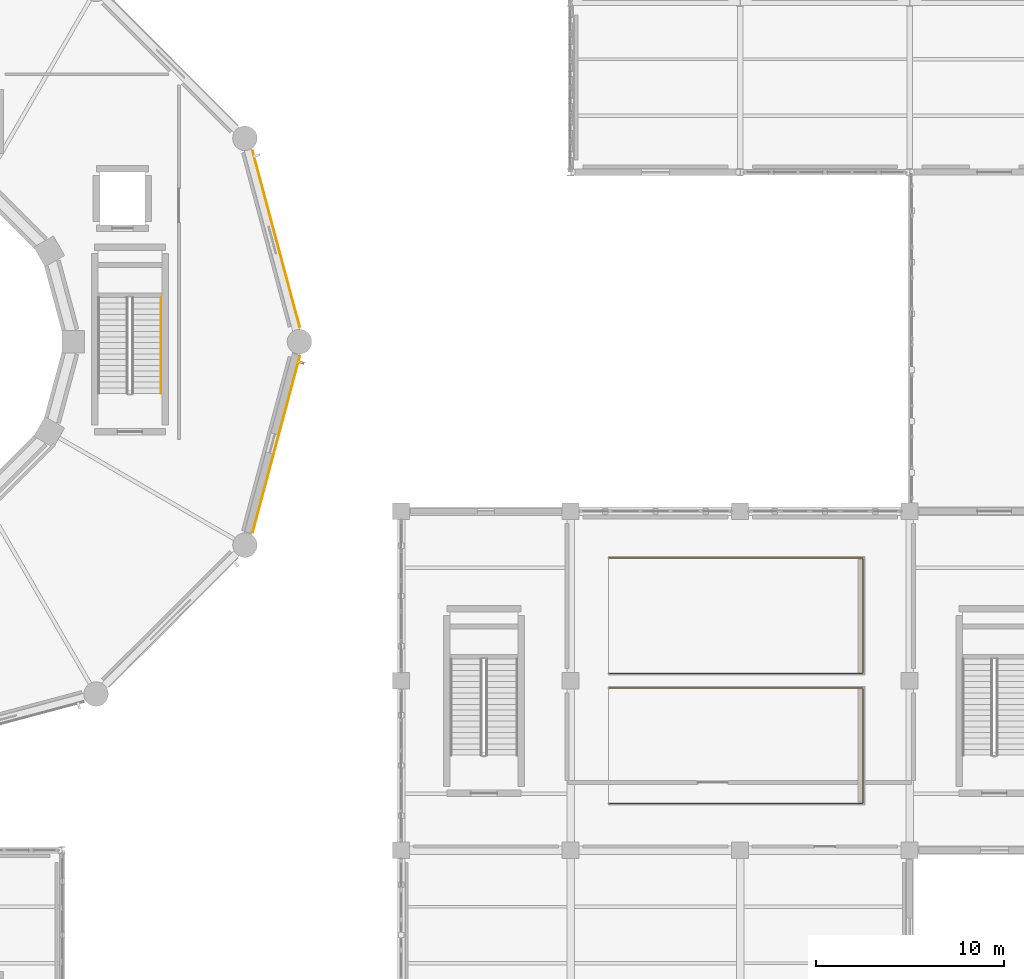
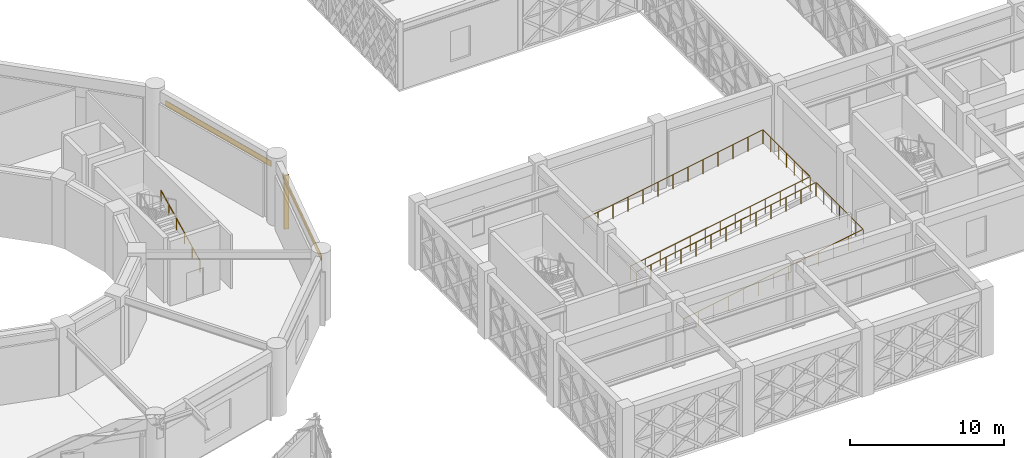
# One storey, part 160 of 166: 3 railings, 2 coverings, 1 shading device.
"""IFC4 building model written with IfcOpenShell, lengths in metres."""

from ifc_helpers import new_model, si_unit, direction, frame, origin, origin_2d, place, context, subcontext, project, spatial, rectangle, circle, extrude, material, type_object, element, save


model = new_model("IFC4")

# Units and contexts
model_context = context("Model", 3, precision=1e-05, world=origin(), true_north=direction((0.0, 1.0)))
body_context = subcontext(model_context, "Body", "Model", "MODEL_VIEW")
ifc_project = project(units=[si_unit("LENGTHUNIT", "METRE"), si_unit("AREAUNIT", "SQUARE_METRE"), si_unit("VOLUMEUNIT", "CUBIC_METRE"), si_unit("PLANEANGLEUNIT", "RADIAN"), si_unit("MASSUNIT", "GRAM", prefix="KILO")], contexts=[model_context])

# Site, building, storey
site_placement = place(None, origin())
site = spatial("IfcSite", under=ifc_project, at=site_placement, CompositionType="ELEMENT")
building_placement = place(site_placement, origin())
building = spatial("IfcBuilding", under=site, at=building_placement, Name="Haizhuo Lancet Aquarium", CompositionType="ELEMENT")
storey_placement = place(building_placement, frame((0.0, 0.0, 5.39990234375)))
storey = spatial("IfcBuildingStorey", under=building, at=storey_placement, Name="L01", CompositionType="ELEMENT", Elevation=5.39990234375)

# Railings
ifc_material_1 = material(Name="Steel S355", Category="steel")
railing_type_1 = type_object("IfcRailingType", Name="RL-GRD-1150", PredefinedType="GUARDRAIL", material=ifc_material_1)
railing_1_placement = place(storey_placement, frame((38.0, -24.52001953125, 0.18505859375)))
element("IfcRailing", 1, at=railing_1_placement, inside=storey, type_object=railing_type_1, Name="Auditorium seating tier guardrail 1", PredefinedType="GUARDRAIL", context=body_context, shape_type="SweptSolid", body=[
    extrude(circle(Radius=0.02392578125, at=origin_2d()), frame((0.029541015625, 0.0, 1.131103515625), z_axis=(0.984632834048, 0.0, 0.174637287299), x_axis=(0.0, 1.0, 0.0)), (0.0, 0.0, 1.0), 13.671142578125),
    extrude(circle(Radius=0.02392578125, at=origin_2d()), frame((13.52001953125, 0.030029296875, 3.52392578125), z_axis=(0.0, 1.0, 0.0), x_axis=(-1.0, 0.0, 0.0)), (0.0, 0.0, 1.0), 6.080078125),
    extrude(circle(Radius=0.02392578125, at=origin_2d()), frame((13.490478515625, 6.14013671875, 3.5185546875), z_axis=(-0.984632834048, 0.0, -0.174637287299), x_axis=(0.0, -1.0, 0.0)), (0.0, 0.0, 1.0), 13.671142578125),
    extrude(circle(Radius=0.02099609375, at=origin_2d()), origin(), (0.0, 0.0, 1.0), 1.097900390625),
    extrude(circle(Radius=0.02099609375, at=origin_2d()), frame((1.126708984375, 0.0, 0.19970703125)), (0.0, 0.0, 1.0), 1.097900390625),
    extrude(circle(Radius=0.02099609375, at=origin_2d()), frame((2.25341796875, 0.0, 0.399658203125)), (0.0, 0.0, 1.0), 1.097900390625),
    extrude(circle(Radius=0.02099609375, at=origin_2d()), frame((3.3798828125, 0.0, 0.599609375)), (0.0, 0.0, 1.0), 1.097900390625),
    extrude(circle(Radius=0.02099609375, at=origin_2d()), frame((4.506591796875, 0.0, 0.79931640625)), (0.0, 0.0, 1.0), 1.097900390625),
    extrude(circle(Radius=0.02099609375, at=origin_2d()), frame((5.63330078125, 0.0, 0.9990234375)), (0.0, 0.0, 1.0), 1.097900390625),
    extrude(circle(Radius=0.02099609375, at=origin_2d()), frame((6.760009765625, 0.0, 1.198974609375)), (0.0, 0.0, 1.0), 1.097900390625),
    extrude(circle(Radius=0.02099609375, at=origin_2d()), frame((7.88671875, 0.0, 1.39892578125)), (0.0, 0.0, 1.0), 1.097900390625),
    extrude(circle(Radius=0.02099609375, at=origin_2d()), frame((9.013427734375, 0.0, 1.5986328125)), (0.0, 0.0, 1.0), 1.097900390625),
    extrude(circle(Radius=0.02099609375, at=origin_2d()), frame((10.14013671875, 0.0, 1.79833984375)), (0.0, 0.0, 1.0), 1.097900390625),
    extrude(circle(Radius=0.02099609375, at=origin_2d()), frame((11.2666015625, 0.0, 1.998291015625)), (0.0, 0.0, 1.0), 1.097900390625),
    extrude(circle(Radius=0.02099609375, at=origin_2d()), frame((12.393310546875, 0.0, 2.1982421875)), (0.0, 0.0, 1.0), 1.097900390625),
    extrude(circle(Radius=0.02099609375, at=origin_2d()), frame((13.52001953125, 0.0, 2.39794921875)), (0.0, 0.0, 1.0), 1.097900390625),
    extrude(circle(Radius=0.02099609375, at=origin_2d()), frame((13.52001953125, 1.0234375, 2.39794921875)), (0.0, 0.0, 1.0), 1.097900390625),
    extrude(circle(Radius=0.02099609375, at=origin_2d()), frame((13.52001953125, 2.046630859375, 2.39794921875)), (0.0, 0.0, 1.0), 1.097900390625),
    extrude(circle(Radius=0.02099609375, at=origin_2d()), frame((13.52001953125, 3.070068359375, 2.39794921875)), (0.0, 0.0, 1.0), 1.097900390625),
    extrude(circle(Radius=0.02099609375, at=origin_2d()), frame((13.52001953125, 4.093505859375, 2.39794921875)), (0.0, 0.0, 1.0), 1.097900390625),
    extrude(circle(Radius=0.02099609375, at=origin_2d()), frame((13.52001953125, 5.11669921875, 2.39794921875)), (0.0, 0.0, 1.0), 1.097900390625),
    extrude(circle(Radius=0.02099609375, at=origin_2d()), frame((13.52001953125, 6.14013671875, 2.39794921875)), (0.0, 0.0, 1.0), 1.097900390625),
    extrude(circle(Radius=0.02099609375, at=origin_2d()), frame((12.393310546875, 6.14013671875, 2.1982421875)), (0.0, 0.0, 1.0), 1.097900390625),
    extrude(circle(Radius=0.02099609375, at=origin_2d()), frame((11.2666015625, 6.14013671875, 1.998291015625)), (0.0, 0.0, 1.0), 1.097900390625),
    extrude(circle(Radius=0.02099609375, at=origin_2d()), frame((10.14013671875, 6.14013671875, 1.79833984375)), (0.0, 0.0, 1.0), 1.097900390625),
    extrude(circle(Radius=0.02099609375, at=origin_2d()), frame((9.013427734375, 6.14013671875, 1.5986328125)), (0.0, 0.0, 1.0), 1.097900390625),
    extrude(circle(Radius=0.02099609375, at=origin_2d()), frame((7.88671875, 6.14013671875, 1.39892578125)), (0.0, 0.0, 1.0), 1.097900390625),
    extrude(circle(Radius=0.02099609375, at=origin_2d()), frame((6.760009765625, 6.14013671875, 1.198974609375)), (0.0, 0.0, 1.0), 1.097900390625),
    extrude(circle(Radius=0.02099609375, at=origin_2d()), frame((5.63330078125, 6.14013671875, 0.9990234375)), (0.0, 0.0, 1.0), 1.097900390625),
    extrude(circle(Radius=0.02099609375, at=origin_2d()), frame((4.506591796875, 6.14013671875, 0.79931640625)), (0.0, 0.0, 1.0), 1.097900390625),
    extrude(circle(Radius=0.02099609375, at=origin_2d()), frame((3.3798828125, 6.14013671875, 0.599609375)), (0.0, 0.0, 1.0), 1.097900390625),
    extrude(circle(Radius=0.02099609375, at=origin_2d()), frame((2.25341796875, 6.14013671875, 0.399658203125)), (0.0, 0.0, 1.0), 1.097900390625),
    extrude(circle(Radius=0.02099609375, at=origin_2d()), frame((1.126708984375, 6.14013671875, 0.19970703125)), (0.0, 0.0, 1.0), 1.097900390625),
    extrude(circle(Radius=0.02099609375, at=origin_2d()), frame((0.0, 6.14013671875, 0.0)), (0.0, 0.0, 1.0), 1.097900390625),
])
railing_2_placement = place(storey_placement, frame((38.0, -17.6201171875, 0.18505859375)))
element("IfcRailing", 2, at=railing_2_placement, inside=storey, type_object=railing_type_1, Name="Auditorium seating tier guardrail 2", PredefinedType="GUARDRAIL", context=body_context, shape_type="SweptSolid", body=[
    extrude(circle(Radius=0.02392578125, at=origin_2d()), frame((0.029541015625, 0.0, 1.131103515625), z_axis=(0.984632834048, 0.0, 0.174637287299), x_axis=(0.0, 1.0, 0.0)), (0.0, 0.0, 1.0), 13.671142578125),
    extrude(circle(Radius=0.02392578125, at=origin_2d()), frame((13.52001953125, 0.030029296875, 3.52392578125), z_axis=(0.0, 1.0, 0.0), x_axis=(-1.0, 0.0, 0.0)), (0.0, 0.0, 1.0), 6.080078125),
    extrude(circle(Radius=0.02392578125, at=origin_2d()), frame((13.490478515625, 6.14013671875, 3.5185546875), z_axis=(-0.984632834048, 0.0, -0.174637287299), x_axis=(0.0, -1.0, 0.0)), (0.0, 0.0, 1.0), 13.671142578125),
    extrude(circle(Radius=0.02099609375, at=origin_2d()), origin(), (0.0, 0.0, 1.0), 1.097900390625),
    extrude(circle(Radius=0.02099609375, at=origin_2d()), frame((1.126708984375, 0.0, 0.19970703125)), (0.0, 0.0, 1.0), 1.097900390625),
    extrude(circle(Radius=0.02099609375, at=origin_2d()), frame((2.25341796875, 0.0, 0.399658203125)), (0.0, 0.0, 1.0), 1.097900390625),
    extrude(circle(Radius=0.02099609375, at=origin_2d()), frame((3.3798828125, 0.0, 0.599609375)), (0.0, 0.0, 1.0), 1.097900390625),
    extrude(circle(Radius=0.02099609375, at=origin_2d()), frame((4.506591796875, 0.0, 0.79931640625)), (0.0, 0.0, 1.0), 1.097900390625),
    extrude(circle(Radius=0.02099609375, at=origin_2d()), frame((5.63330078125, 0.0, 0.9990234375)), (0.0, 0.0, 1.0), 1.097900390625),
    extrude(circle(Radius=0.02099609375, at=origin_2d()), frame((6.760009765625, 0.0, 1.198974609375)), (0.0, 0.0, 1.0), 1.097900390625),
    extrude(circle(Radius=0.02099609375, at=origin_2d()), frame((7.88671875, 0.0, 1.39892578125)), (0.0, 0.0, 1.0), 1.097900390625),
    extrude(circle(Radius=0.02099609375, at=origin_2d()), frame((9.013427734375, 0.0, 1.5986328125)), (0.0, 0.0, 1.0), 1.097900390625),
    extrude(circle(Radius=0.02099609375, at=origin_2d()), frame((10.14013671875, 0.0, 1.79833984375)), (0.0, 0.0, 1.0), 1.097900390625),
    extrude(circle(Radius=0.02099609375, at=origin_2d()), frame((11.2666015625, 0.0, 1.998291015625)), (0.0, 0.0, 1.0), 1.097900390625),
    extrude(circle(Radius=0.02099609375, at=origin_2d()), frame((12.393310546875, 0.0, 2.1982421875)), (0.0, 0.0, 1.0), 1.097900390625),
    extrude(circle(Radius=0.02099609375, at=origin_2d()), frame((13.52001953125, 0.0, 2.39794921875)), (0.0, 0.0, 1.0), 1.097900390625),
    extrude(circle(Radius=0.02099609375, at=origin_2d()), frame((13.52001953125, 1.0234375, 2.39794921875)), (0.0, 0.0, 1.0), 1.097900390625),
    extrude(circle(Radius=0.02099609375, at=origin_2d()), frame((13.52001953125, 2.046630859375, 2.39794921875)), (0.0, 0.0, 1.0), 1.097900390625),
    extrude(circle(Radius=0.02099609375, at=origin_2d()), frame((13.52001953125, 3.070068359375, 2.39794921875)), (0.0, 0.0, 1.0), 1.097900390625),
    extrude(circle(Radius=0.02099609375, at=origin_2d()), frame((13.52001953125, 4.093505859375, 2.39794921875)), (0.0, 0.0, 1.0), 1.097900390625),
    extrude(circle(Radius=0.02099609375, at=origin_2d()), frame((13.52001953125, 5.11669921875, 2.39794921875)), (0.0, 0.0, 1.0), 1.097900390625),
    extrude(circle(Radius=0.02099609375, at=origin_2d()), frame((13.52001953125, 6.14013671875, 2.39794921875)), (0.0, 0.0, 1.0), 1.097900390625),
    extrude(circle(Radius=0.02099609375, at=origin_2d()), frame((12.393310546875, 6.14013671875, 2.1982421875)), (0.0, 0.0, 1.0), 1.097900390625),
    extrude(circle(Radius=0.02099609375, at=origin_2d()), frame((11.2666015625, 6.14013671875, 1.998291015625)), (0.0, 0.0, 1.0), 1.097900390625),
    extrude(circle(Radius=0.02099609375, at=origin_2d()), frame((10.14013671875, 6.14013671875, 1.79833984375)), (0.0, 0.0, 1.0), 1.097900390625),
    extrude(circle(Radius=0.02099609375, at=origin_2d()), frame((9.013427734375, 6.14013671875, 1.5986328125)), (0.0, 0.0, 1.0), 1.097900390625),
    extrude(circle(Radius=0.02099609375, at=origin_2d()), frame((7.88671875, 6.14013671875, 1.39892578125)), (0.0, 0.0, 1.0), 1.097900390625),
    extrude(circle(Radius=0.02099609375, at=origin_2d()), frame((6.760009765625, 6.14013671875, 1.198974609375)), (0.0, 0.0, 1.0), 1.097900390625),
    extrude(circle(Radius=0.02099609375, at=origin_2d()), frame((5.63330078125, 6.14013671875, 0.9990234375)), (0.0, 0.0, 1.0), 1.097900390625),
    extrude(circle(Radius=0.02099609375, at=origin_2d()), frame((4.506591796875, 6.14013671875, 0.79931640625)), (0.0, 0.0, 1.0), 1.097900390625),
    extrude(circle(Radius=0.02099609375, at=origin_2d()), frame((3.3798828125, 6.14013671875, 0.599609375)), (0.0, 0.0, 1.0), 1.097900390625),
    extrude(circle(Radius=0.02099609375, at=origin_2d()), frame((2.25341796875, 6.14013671875, 0.399658203125)), (0.0, 0.0, 1.0), 1.097900390625),
    extrude(circle(Radius=0.02099609375, at=origin_2d()), frame((1.126708984375, 6.14013671875, 0.19970703125)), (0.0, 0.0, 1.0), 1.097900390625),
    extrude(circle(Radius=0.02099609375, at=origin_2d()), frame((0.0, 6.14013671875, 0.0)), (0.0, 0.0, 1.0), 1.097900390625),
])
railing_type_2 = type_object("IfcRailingType", Name="RL-HDR-900", PredefinedType="HANDRAIL", material=ifc_material_1)
railing_3_placement = place(storey_placement, frame((14.25, -2.75, 0.150146484375)))
element("IfcRailing", 3, at=railing_3_placement, inside=storey, type_object=railing_type_2, Name="L01 ST-02 pitch handrail 1", PredefinedType="HANDRAIL", context=body_context, shape_type="SweptSolid", body=[
    extrude(circle(Radius=0.02392578125, at=origin_2d()), frame((0.0, 0.02685546875, 0.88916015625), z_axis=(0.0, 0.894427191, 0.4472135955), x_axis=(-1.0, 0.0, 0.0)), (0.0, 0.0, 1.0), 5.64208984375),
    extrude(circle(Radius=0.02099609375, at=origin_2d()), origin(), (0.0, 0.0, 1.0), 0.847900390625),
    extrude(circle(Radius=0.02099609375, at=origin_2d()), frame((0.0, 1.02001953125, 0.510009765625)), (0.0, 0.0, 1.0), 0.847900390625),
    extrude(circle(Radius=0.02099609375, at=origin_2d()), frame((0.0, 2.0400390625, 1.02001953125)), (0.0, 0.0, 1.0), 0.847900390625),
    extrude(circle(Radius=0.02099609375, at=origin_2d()), frame((0.0, 3.06005859375, 1.530029296875)), (0.0, 0.0, 1.0), 0.847900390625),
    extrude(circle(Radius=0.02099609375, at=origin_2d()), frame((0.0, 4.080078125, 2.0400390625)), (0.0, 0.0, 1.0), 0.847900390625),
    extrude(circle(Radius=0.02099609375, at=origin_2d()), frame((0.0, 5.10009765625, 2.550048828125)), (0.0, 0.0, 1.0), 0.847900390625),
])

# Coverings
ifc_material_2 = material(Name="Shandong Grey Limestone Ashlar", Category="masonry")
covering_type = type_object("IfcCoveringType", Name="COV-CLD-STN", PredefinedType="CLADDING", material=ifc_material_2)
for number, where, z_axis, x_axis, name in (
    (4, (20.365966796875, 5.45703125, 3.8251953125), (0.0, 0.0, 1.0), (0.25879394043, -0.965932552716, 0.0), "L01 limestone ashlar spandrel cladding 1"),
    (5, (20.365966796875, -5.45703125, 3.8251953125), (0.0, 0.0, 1.0), (-0.25879394043, -0.965932552716, 0.0), "L01 limestone ashlar spandrel cladding 12"),
):
    element("IfcCovering", number, at=place(storey_placement, frame(where, z_axis=z_axis, x_axis=x_axis)), inside=storey, type_object=covering_type, material=ifc_material_2, Name=name, PredefinedType="CLADDING", context=body_context, shape_type="SweptSolid", body=[
        extrude(rectangle(XDim=9.69189453125, YDim=0.050048828125, at=origin_2d()), origin(), (0.0, 0.0, 1.0), 0.449951171875),
    ])

# Shading device
shading_device_type = type_object("IfcShadingDeviceType", Name="SHD-LAN-FIN", PredefinedType="JALOUSIE", material=ifc_material_2)
shading_device_placement = place(storey_placement, frame((21.681884765625, -1.10400390625, 0.000732421875), z_axis=(0.0, 0.0, 1.0), x_axis=(-0.25879394043, -0.965932552716, 0.0)))
element("IfcShadingDevice", 6, at=shading_device_placement, inside=storey, type_object=shading_device_type, material=ifc_material_2, Name="L01 Gothic lancet stone solar fin 12", PredefinedType="JALOUSIE", context=body_context, shape_type="SweptSolid", body=[
    extrude(rectangle(XDim=0.1201171875, YDim=0.35009765625, at=origin_2d()), origin(), (0.0, 0.0, 1.0), 4.27490234375),
])

save(model, "model.ifc")
